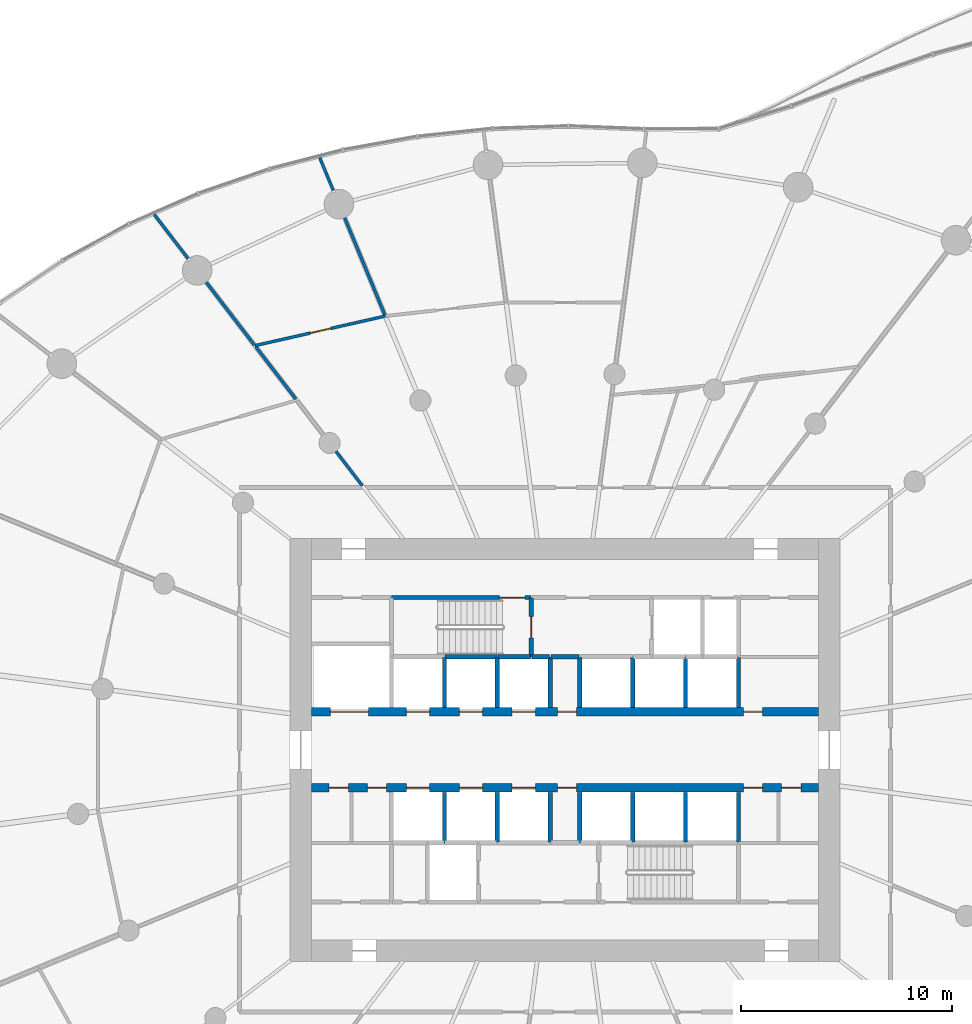
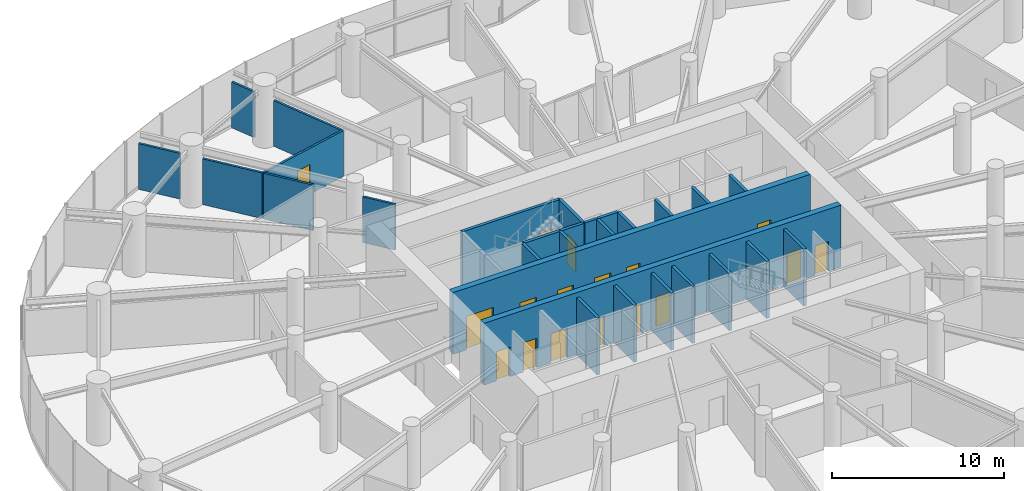
# One storey, part 16 of 24: 29 walls, 17 doors, 17 openings.
"""IFC4 building model written with IfcOpenShell, lengths in metres."""

from ifc_helpers import new_model, si_unit, direction, frame, frame_2d, origin, place, context, subcontext, project, spatial, rectangle, extrude, source, transform, mapped, material, layer, layer_set, type_object, element, fill, save


model = new_model("IFC4")

# Units and contexts
model_context = context("Model", 3, precision=1e-05, world=origin(), true_north=direction((0.0, 1.0)))
body_context = subcontext(model_context, "Body", "Model", "MODEL_VIEW")
ifc_project = project(units=[si_unit("LENGTHUNIT", "METRE"), si_unit("AREAUNIT", "SQUARE_METRE"), si_unit("VOLUMEUNIT", "CUBIC_METRE"), si_unit("PLANEANGLEUNIT", "RADIAN"), si_unit("MASSUNIT", "GRAM", prefix="KILO")], contexts=[model_context])

# Site, building, storey
site_placement = place(None, origin())
site = spatial("IfcSite", under=ifc_project, at=site_placement, CompositionType="ELEMENT")
building_placement = place(site_placement, origin())
building = spatial("IfcBuilding", under=site, at=building_placement, Name="Spindrift Exchange Tower", CompositionType="ELEMENT")
storey_placement = place(building_placement, frame((0.0, 0.0, 5.0)))
storey = spatial("IfcBuildingStorey", under=building, at=storey_placement, Name="L01", CompositionType="ELEMENT", Elevation=5.0)

# Wall, openings, doors
ifc_material_1 = material(Name="Concrete 80 MPa", Category="concrete")
ifc_layer_1 = layer(ifc_material_1, 0.39990234375)
ifc_layer_set_1 = layer_set([ifc_layer_1], Name="RC Spine Wall 400 Concrete 80 MPa")
wall_type_1 = type_object("IfcWallType", Name="RC Spine Wall 400 Concrete 80 MPa", PredefinedType="SHEAR", material=ifc_layer_set_1)
wall_1_placement = place(storey_placement, frame((40.0, 49.800048828125, 0.0), z_axis=(0.0, 0.0, 1.0), x_axis=(1.0, 0.0, 0.0)))
wall_1 = element("IfcWall", 1, at=wall_1_placement, inside=storey, type_object=wall_type_1, Name="Core spine wall N L01", PredefinedType="SHEAR", context=body_context, shape_type="SweptSolid", body=[
    extrude(rectangle(XDim=24.0, YDim=0.39990234375, at=frame_2d((12.0, 0.0))), origin(), (0.0, 0.0, 1.0), 4.39990234375),
])
opening_1_placement = place(wall_1_placement, frame((4.5, 0.0, 0.0)))
opening_1 = element("IfcOpeningElement", 2, at=opening_1_placement, cuts=wall_1, Name="Opening L01-D3", PredefinedType="OPENING", context=body_context, shape_type="SweptSolid", body=[
    extrude(rectangle(XDim=1.10009765625, YDim=2.10009765625, at=frame_2d((0.550048828125, 1.050048828125))), frame((0.0, 0.2099609375, 0.0), z_axis=(0.0, -1.0, 0.0), x_axis=(1.0, 0.0, 0.0)), (0.0, 0.0, 1.0), 0.419921875),
])
opening_2_placement = place(wall_1_placement, frame((7.0, 0.0, 0.0)))
opening_2 = element("IfcOpeningElement", 3, at=opening_2_placement, cuts=wall_1, Name="Opening L01-D4", PredefinedType="OPENING", context=body_context, shape_type="SweptSolid", body=[
    extrude(rectangle(XDim=1.10009765625, YDim=2.10009765625, at=frame_2d((0.550048828125, 1.050048828125))), frame((0.0, 0.2099609375, 0.0), z_axis=(0.0, -1.0, 0.0), x_axis=(1.0, 0.0, 0.0)), (0.0, 0.0, 1.0), 0.419921875),
])
opening_3_placement = place(wall_1_placement, frame((9.5, 0.0, 0.0)))
opening_3 = element("IfcOpeningElement", 4, at=opening_3_placement, cuts=wall_1, Name="Opening L01-D5", PredefinedType="OPENING", context=body_context, shape_type="SweptSolid", body=[
    extrude(rectangle(XDim=1.10009765625, YDim=2.10009765625, at=frame_2d((0.550048828125, 1.050048828125))), frame((0.0, 0.2099609375, 0.0), z_axis=(0.0, -1.0, 0.0), x_axis=(1.0, 0.0, 0.0)), (0.0, 0.0, 1.0), 0.419921875),
])
opening_4_placement = place(wall_1_placement, frame((0.89990234375, 0.0, 0.0)))
opening_4 = element("IfcOpeningElement", 5, at=opening_4_placement, cuts=wall_1, Name="Opening L01-D12", PredefinedType="OPENING", context=body_context, shape_type="SweptSolid", body=[
    extrude(rectangle(XDim=1.800048828125, YDim=2.39990234375, at=frame_2d((0.89990234375, 1.199951171875))), frame((0.0, 0.2099609375, 0.0), z_axis=(0.0, -1.0, 0.0), x_axis=(1.0, 0.0, 0.0)), (0.0, 0.0, 1.0), 0.419921875),
])
opening_5_placement = place(wall_1_placement, frame((20.449951171875, 0.0, 0.0)))
opening_5 = element("IfcOpeningElement", 6, at=opening_5_placement, cuts=wall_1, Name="Opening L01-D56", PredefinedType="OPENING", context=body_context, shape_type="SweptSolid", body=[
    extrude(rectangle(XDim=0.89990234375, YDim=2.10009765625, at=frame_2d((0.449951171875, 1.050048828125))), frame((0.0, 0.2099609375, 0.0), z_axis=(0.0, -1.0, 0.0), x_axis=(1.0, 0.0, 0.0)), (0.0, 0.0, 1.0), 0.419921875),
])
opening_6_placement = place(wall_1_placement, frame((11.64990234375, 0.0, 0.0)))
opening_6 = element("IfcOpeningElement", 7, at=opening_6_placement, cuts=wall_1, Name="Opening L01-D61", PredefinedType="OPENING", context=body_context, shape_type="SweptSolid", body=[
    extrude(rectangle(XDim=0.89990234375, YDim=2.10009765625, at=frame_2d((0.449951171875, 1.050048828125))), frame((0.0, 0.2099609375, 0.0), z_axis=(0.0, -1.0, 0.0), x_axis=(1.0, 0.0, 0.0)), (0.0, 0.0, 1.0), 0.419921875),
])
ifc_material_2 = material(Name="Stainless steel landing door", Category="steel")
door_type_1 = type_object("IfcDoorType", Name="DR-LANDING-1100-SL", OperationType="DOUBLE_DOOR_SLIDING", PredefinedType="USERDEFINED", material=ifc_material_2)
shared_shape_1 = source(origin(), body_context, "Body", "SweptSolid", [
    extrude(rectangle(XDim=1.10009765625, YDim=2.10009765625, at=frame_2d((0.550048828125, 1.050048828125))), frame((0.0, 0.02490234375, 0.0), z_axis=(0.0, -1.0, 0.0), x_axis=(1.0, 0.0, 0.0)), (0.0, 0.0, 1.0), 0.050048828125),
])
door_1_placement = place(opening_1_placement, origin())
door_1 = element("IfcDoor", 8, at=door_1_placement, inside=storey, type_object=door_type_1, Name="L01 Lift landing door 3", ObjectType="LANDING DOOR", OperationType="DOUBLE_DOOR_SLIDING", OverallHeight=2.10009765625, OverallWidth=1.10009765625, PredefinedType="USERDEFINED", context=body_context, shape_type="MappedRepresentation", body=[
    mapped(shared_shape_1, transform((0.0, 0.0, 0.0), scale=1.0)),
])
fill(opening_1, door_1)
door_2_placement = place(opening_2_placement, origin())
door_2 = element("IfcDoor", 9, at=door_2_placement, inside=storey, type_object=door_type_1, Name="L01 Lift landing door 4", ObjectType="LANDING DOOR", OperationType="DOUBLE_DOOR_SLIDING", OverallHeight=2.10009765625, OverallWidth=1.10009765625, PredefinedType="USERDEFINED", context=body_context, shape_type="MappedRepresentation", body=[
    mapped(shared_shape_1, transform((0.0, 0.0, 0.0), scale=1.0)),
])
fill(opening_2, door_2)
door_3_placement = place(opening_3_placement, origin())
door_3 = element("IfcDoor", 10, at=door_3_placement, inside=storey, type_object=door_type_1, Name="L01 Lift landing door 5", ObjectType="LANDING DOOR", OperationType="DOUBLE_DOOR_SLIDING", OverallHeight=2.10009765625, OverallWidth=1.10009765625, PredefinedType="USERDEFINED", context=body_context, shape_type="MappedRepresentation", body=[
    mapped(shared_shape_1, transform((0.0, 0.0, 0.0), scale=1.0)),
])
fill(opening_3, door_3)
door_type_2 = type_object("IfcDoorType", Name="DR-LANDING-1800-SL", OperationType="DOUBLE_DOOR_SLIDING", PredefinedType="USERDEFINED", material=ifc_material_2)
shared_shape_2 = source(origin(), body_context, "Body", "SweptSolid", [
    extrude(rectangle(XDim=1.800048828125, YDim=2.39990234375, at=frame_2d((0.89990234375, 1.199951171875))), frame((0.0, 0.02490234375, 0.0), z_axis=(0.0, -1.0, 0.0), x_axis=(1.0, 0.0, 0.0)), (0.0, 0.0, 1.0), 0.050048828125),
])
door_4_placement = place(opening_4_placement, origin())
door_4 = element("IfcDoor", 11, at=door_4_placement, inside=storey, type_object=door_type_2, Name="L01 Lift landing door 12", ObjectType="LANDING DOOR", OperationType="DOUBLE_DOOR_SLIDING", OverallHeight=2.39990234375, OverallWidth=1.800048828125, PredefinedType="USERDEFINED", context=body_context, shape_type="MappedRepresentation", body=[
    mapped(shared_shape_2, transform((0.0, 0.0, 0.0), scale=1.0)),
])
fill(opening_4, door_4)
ifc_material_3 = material(Name="Steel access door", Category="steel")
door_type_3 = type_object("IfcDoorType", Name="DR-RISER-900", OperationType="NOTDEFINED", PredefinedType="DOOR", material=ifc_material_3)
shared_shape_3 = source(origin(), body_context, "Body", "SweptSolid", [
    extrude(rectangle(XDim=0.89990234375, YDim=2.10009765625, at=frame_2d((0.449951171875, 1.050048828125))), frame((0.0, 0.02490234375, 0.0), z_axis=(0.0, -1.0, 0.0), x_axis=(1.0, 0.0, 0.0)), (0.0, 0.0, 1.0), 0.050048828125),
])
door_5_placement = place(opening_5_placement, origin())
door_5 = element("IfcDoor", 12, at=door_5_placement, inside=storey, type_object=door_type_3, Name="L01 Riser door 56", OperationType="SINGLE_SWING_RIGHT", OverallHeight=2.10009765625, OverallWidth=0.89990234375, PredefinedType="DOOR", context=body_context, shape_type="MappedRepresentation", body=[
    mapped(shared_shape_3, transform((0.0, 0.0, 0.0), scale=1.0)),
])
fill(opening_5, door_5)
door_6_placement = place(opening_6_placement, origin())
door_6 = element("IfcDoor", 13, at=door_6_placement, inside=storey, type_object=door_type_3, Name="L01 Riser door 61", OperationType="SINGLE_SWING_LEFT", OverallHeight=2.10009765625, OverallWidth=0.89990234375, PredefinedType="DOOR", context=body_context, shape_type="MappedRepresentation", body=[
    mapped(shared_shape_3, transform((0.0, 0.0, 0.0), scale=1.0)),
])
fill(opening_6, door_6)

wall_2_placement = place(storey_placement, frame((40.0, 46.199951171875, 0.0), z_axis=(0.0, 0.0, 1.0), x_axis=(1.0, 0.0, 0.0)))
wall_2 = element("IfcWall", 14, at=wall_2_placement, inside=storey, type_object=wall_type_1, Name="Core spine wall S L01", PredefinedType="SHEAR", context=body_context, shape_type="SweptSolid", body=[
    extrude(rectangle(XDim=24.0, YDim=0.39990234375, at=frame_2d((12.0, 0.0))), origin(), (0.0, 0.0, 1.0), 4.39990234375),
])
opening_7_placement = place(wall_2_placement, frame((4.5, 0.0, 0.0)))
opening_7 = element("IfcOpeningElement", 15, at=opening_7_placement, cuts=wall_2, Name="Opening L01-D6", PredefinedType="OPENING", context=body_context, shape_type="SweptSolid", body=[
    extrude(rectangle(XDim=1.10009765625, YDim=2.10009765625, at=frame_2d((0.550048828125, 1.050048828125))), frame((0.0, 0.2099609375, 0.0), z_axis=(0.0, -1.0, 0.0), x_axis=(1.0, 0.0, 0.0)), (0.0, 0.0, 1.0), 0.419921875),
])
opening_8_placement = place(wall_2_placement, frame((7.0, 0.0, 0.0)))
opening_8 = element("IfcOpeningElement", 16, at=opening_8_placement, cuts=wall_2, Name="Opening L01-D7", PredefinedType="OPENING", context=body_context, shape_type="SweptSolid", body=[
    extrude(rectangle(XDim=1.10009765625, YDim=2.10009765625, at=frame_2d((0.550048828125, 1.050048828125))), frame((0.0, 0.2099609375, 0.0), z_axis=(0.0, -1.0, 0.0), x_axis=(1.0, 0.0, 0.0)), (0.0, 0.0, 1.0), 0.419921875),
])
opening_9_placement = place(wall_2_placement, frame((9.5, 0.0, 0.0)))
opening_9 = element("IfcOpeningElement", 17, at=opening_9_placement, cuts=wall_2, Name="Opening L01-D8", PredefinedType="OPENING", context=body_context, shape_type="SweptSolid", body=[
    extrude(rectangle(XDim=1.10009765625, YDim=2.10009765625, at=frame_2d((0.550048828125, 1.050048828125))), frame((0.0, 0.2099609375, 0.0), z_axis=(0.0, -1.0, 0.0), x_axis=(1.0, 0.0, 0.0)), (0.0, 0.0, 1.0), 0.419921875),
])
opening_10_placement = place(wall_2_placement, frame((20.449951171875, 0.0, 0.0)))
opening_10 = element("IfcOpeningElement", 18, at=opening_10_placement, cuts=wall_2, Name="Opening L01-D54", PredefinedType="OPENING", context=body_context, shape_type="SweptSolid", body=[
    extrude(rectangle(XDim=0.89990234375, YDim=2.10009765625, at=frame_2d((0.449951171875, 1.050048828125))), frame((0.0, 0.2099609375, 0.0), z_axis=(0.0, -1.0, 0.0), x_axis=(1.0, 0.0, 0.0)), (0.0, 0.0, 1.0), 0.419921875),
])
opening_11_placement = place(wall_2_placement, frame((22.25, 0.0, 0.0)))
opening_11 = element("IfcOpeningElement", 19, at=opening_11_placement, cuts=wall_2, Name="Opening L01-D55", PredefinedType="OPENING", context=body_context, shape_type="SweptSolid", body=[
    extrude(rectangle(XDim=0.89990234375, YDim=2.10009765625, at=frame_2d((0.449951171875, 1.050048828125))), frame((0.0, 0.2099609375, 0.0), z_axis=(0.0, -1.0, 0.0), x_axis=(1.0, 0.0, 0.0)), (0.0, 0.0, 1.0), 0.419921875),
])
opening_12_placement = place(wall_2_placement, frame((0.85009765625, 0.0, 0.0)))
opening_12 = element("IfcOpeningElement", 20, at=opening_12_placement, cuts=wall_2, Name="Opening L01-D59", PredefinedType="OPENING", context=body_context, shape_type="SweptSolid", body=[
    extrude(rectangle(XDim=0.89990234375, YDim=2.10009765625, at=frame_2d((0.449951171875, 1.050048828125))), frame((0.0, 0.2099609375, 0.0), z_axis=(0.0, -1.0, 0.0), x_axis=(1.0, 0.0, 0.0)), (0.0, 0.0, 1.0), 0.419921875),
])
opening_13_placement = place(wall_2_placement, frame((2.64990234375, 0.0, 0.0)))
opening_13 = element("IfcOpeningElement", 21, at=opening_13_placement, cuts=wall_2, Name="Opening L01-D60", PredefinedType="OPENING", context=body_context, shape_type="SweptSolid", body=[
    extrude(rectangle(XDim=0.89990234375, YDim=2.10009765625, at=frame_2d((0.449951171875, 1.050048828125))), frame((0.0, 0.2099609375, 0.0), z_axis=(0.0, -1.0, 0.0), x_axis=(1.0, 0.0, 0.0)), (0.0, 0.0, 1.0), 0.419921875),
])
opening_14_placement = place(wall_2_placement, frame((11.64990234375, 0.0, 0.0)))
opening_14 = element("IfcOpeningElement", 22, at=opening_14_placement, cuts=wall_2, Name="Opening L01-D62", PredefinedType="OPENING", context=body_context, shape_type="SweptSolid", body=[
    extrude(rectangle(XDim=0.89990234375, YDim=2.10009765625, at=frame_2d((0.449951171875, 1.050048828125))), frame((0.0, 0.2099609375, 0.0), z_axis=(0.0, -1.0, 0.0), x_axis=(1.0, 0.0, 0.0)), (0.0, 0.0, 1.0), 0.419921875),
])
door_7_placement = place(opening_7_placement, origin())
door_7 = element("IfcDoor", 23, at=door_7_placement, inside=storey, type_object=door_type_1, Name="L01 Lift landing door 6", ObjectType="LANDING DOOR", OperationType="DOUBLE_DOOR_SLIDING", OverallHeight=2.10009765625, OverallWidth=1.10009765625, PredefinedType="USERDEFINED", context=body_context, shape_type="MappedRepresentation", body=[
    mapped(shared_shape_1, transform((0.0, 0.0, 0.0), scale=1.0)),
])
fill(opening_7, door_7)
door_8_placement = place(opening_8_placement, origin())
door_8 = element("IfcDoor", 24, at=door_8_placement, inside=storey, type_object=door_type_1, Name="L01 Lift landing door 7", ObjectType="LANDING DOOR", OperationType="DOUBLE_DOOR_SLIDING", OverallHeight=2.10009765625, OverallWidth=1.10009765625, PredefinedType="USERDEFINED", context=body_context, shape_type="MappedRepresentation", body=[
    mapped(shared_shape_1, transform((0.0, 0.0, 0.0), scale=1.0)),
])
fill(opening_8, door_8)
door_9_placement = place(opening_9_placement, origin())
door_9 = element("IfcDoor", 25, at=door_9_placement, inside=storey, type_object=door_type_1, Name="L01 Lift landing door 8", ObjectType="LANDING DOOR", OperationType="DOUBLE_DOOR_SLIDING", OverallHeight=2.10009765625, OverallWidth=1.10009765625, PredefinedType="USERDEFINED", context=body_context, shape_type="MappedRepresentation", body=[
    mapped(shared_shape_1, transform((0.0, 0.0, 0.0), scale=1.0)),
])
fill(opening_9, door_9)
door_10_placement = place(opening_10_placement, origin())
door_10 = element("IfcDoor", 26, at=door_10_placement, inside=storey, type_object=door_type_3, Name="L01 Riser door 54", OperationType="SINGLE_SWING_RIGHT", OverallHeight=2.10009765625, OverallWidth=0.89990234375, PredefinedType="DOOR", context=body_context, shape_type="MappedRepresentation", body=[
    mapped(shared_shape_3, transform((0.0, 0.0, 0.0), scale=1.0)),
])
fill(opening_10, door_10)
door_11_placement = place(opening_11_placement, origin())
door_11 = element("IfcDoor", 27, at=door_11_placement, inside=storey, type_object=door_type_3, Name="L01 Riser door 55", OperationType="SINGLE_SWING_LEFT", OverallHeight=2.10009765625, OverallWidth=0.89990234375, PredefinedType="DOOR", context=body_context, shape_type="MappedRepresentation", body=[
    mapped(shared_shape_3, transform((0.0, 0.0, 0.0), scale=1.0)),
])
fill(opening_11, door_11)
door_12_placement = place(opening_12_placement, origin())
door_12 = element("IfcDoor", 28, at=door_12_placement, inside=storey, type_object=door_type_3, Name="L01 Riser door 59", OperationType="SINGLE_SWING_LEFT", OverallHeight=2.10009765625, OverallWidth=0.89990234375, PredefinedType="DOOR", context=body_context, shape_type="MappedRepresentation", body=[
    mapped(shared_shape_3, transform((0.0, 0.0, 0.0), scale=1.0)),
])
fill(opening_12, door_12)
door_13_placement = place(opening_13_placement, origin())
door_13 = element("IfcDoor", 29, at=door_13_placement, inside=storey, type_object=door_type_3, Name="L01 Riser door 60", OperationType="SINGLE_SWING_RIGHT", OverallHeight=2.10009765625, OverallWidth=0.89990234375, PredefinedType="DOOR", context=body_context, shape_type="MappedRepresentation", body=[
    mapped(shared_shape_3, transform((0.0, 0.0, 0.0), scale=1.0)),
])
fill(opening_13, door_13)
door_14_placement = place(opening_14_placement, origin())
door_14 = element("IfcDoor", 30, at=door_14_placement, inside=storey, type_object=door_type_3, Name="L01 Riser door 62", OperationType="SINGLE_SWING_RIGHT", OverallHeight=2.10009765625, OverallWidth=0.89990234375, PredefinedType="DOOR", context=body_context, shape_type="MappedRepresentation", body=[
    mapped(shared_shape_3, transform((0.0, 0.0, 0.0), scale=1.0)),
])
fill(opening_14, door_14)

# Wall, opening, door
ifc_material_4 = material(Name="Fire-rated plasterboard partition", Category="gypsum")
ifc_layer_2 = layer(ifc_material_4, 0.139892578125)
ifc_layer_set_2 = layer_set([ifc_layer_2], Name="W-PART-140")
wall_type_2 = type_object("IfcWallType", Name="W-PART-140", PredefinedType="PARTITIONING", material=ifc_layer_set_2)
wall_3_placement = place(storey_placement, frame((37.332275390625, 67.115478515625, 0.0), z_axis=(0.0, 0.0, 1.0), x_axis=(0.975258543616, 0.221067349702, 0.0)))
wall_3 = element("IfcWall", 31, at=wall_3_placement, inside=storey, type_object=wall_type_2, Name="L01 Partition wall 90", PredefinedType="PARTITIONING", context=body_context, shape_type="SweptSolid", body=[
    extrude(rectangle(XDim=6.326904296875, YDim=0.139892578125, at=frame_2d((3.16357421875, 0.0))), origin(), (0.0, 0.0, 1.0), 3.25),
])
opening_15_placement = place(wall_3_placement, frame((2.677001953125, 0.0, 0.0)))
opening_15 = element("IfcOpeningElement", 32, at=opening_15_placement, cuts=wall_3, Name="Opening L01-D34", PredefinedType="OPENING", context=body_context, shape_type="SweptSolid", body=[
    extrude(rectangle(XDim=1.0, YDim=2.10009765625, at=frame_2d((0.5, 1.050048828125))), frame((0.0, 0.079833984375, 0.0), z_axis=(0.0, -1.0, 0.0), x_axis=(1.0, 0.0, 0.0)), (0.0, 0.0, 1.0), 0.159912109375),
])
ifc_material_5 = material(Name="Timber-core fire door", Category="wood")
door_type_4 = type_object("IfcDoorType", Name="DR-ROOM-1000", OperationType="NOTDEFINED", PredefinedType="DOOR", material=ifc_material_5)
shared_shape_4 = source(origin(), body_context, "Body", "SweptSolid", [
    extrude(rectangle(XDim=1.0, YDim=2.10009765625, at=frame_2d((0.5, 1.050048828125))), frame((0.0, 0.02490234375, 0.0), z_axis=(0.0, -1.0, 0.0), x_axis=(1.0, 0.0, 0.0)), (0.0, 0.0, 1.0), 0.050048828125),
])
door_15_placement = place(opening_15_placement, origin())
door_15 = element("IfcDoor", 33, at=door_15_placement, inside=storey, type_object=door_type_4, Name="L01 Door 34", OperationType="SINGLE_SWING_RIGHT", OverallHeight=2.10009765625, OverallWidth=1.0, PredefinedType="DOOR", context=body_context, shape_type="MappedRepresentation", body=[
    mapped(shared_shape_4, transform((0.0, 0.0, 0.0), scale=1.0)),
])
fill(opening_15, door_15)

# Walls
wall_4_placement = place(storey_placement, frame((37.31396484375, 67.13916015625, 0.0), z_axis=(0.0, 0.0, 1.0), x_axis=(-0.608769216059, 0.793347365017, 0.0)))
element("IfcWall", 34, at=wall_4_placement, inside=storey, type_object=wall_type_2, Name="L01 Partition wall 122", PredefinedType="PARTITIONING", context=body_context, shape_type="SweptSolid", body=[
    extrude(rectangle(XDim=3.74853515625, YDim=0.139892578125, at=frame_2d((1.874267578125, 0.0))), origin(), (0.0, 0.0, 1.0), 3.25),
])
wall_5_placement = place(storey_placement, frame((39.268310546875, 64.59228515625, 0.0), z_axis=(0.0, 0.0, 1.0), x_axis=(-0.608775029145, 0.793342904355, 0.0)))
element("IfcWall", 35, at=wall_5_placement, inside=storey, type_object=wall_type_2, Name="L01 Partition wall 130", PredefinedType="PARTITIONING", context=body_context, shape_type="SweptSolid", body=[
    extrude(rectangle(XDim=3.103271484375, YDim=0.139892578125, at=frame_2d((1.5517578125, 0.0))), origin(), (0.0, 0.0, 1.0), 3.25),
])
wall_6_placement = place(storey_placement, frame((34.1748046875, 71.23046875, 0.0), z_axis=(0.0, 0.0, 1.0), x_axis=(-0.608811983243, 0.793314546104, 0.0)))
element("IfcWall", 36, at=wall_6_placement, inside=storey, type_object=wall_type_2, Name="L01 Partition wall 137", PredefinedType="PARTITIONING", context=body_context, shape_type="SweptSolid", body=[
    extrude(rectangle(XDim=2.626708984375, YDim=0.139892578125, at=frame_2d((1.3134765625, 0.0))), origin(), (0.0, 0.0, 1.0), 3.25),
])
wall_7_placement = place(storey_placement, frame((42.416015625, 60.489990234375, 0.0), z_axis=(0.0, 0.0, 1.0), x_axis=(-0.608727763541, 0.793379171578, 0.0)))
element("IfcWall", 37, at=wall_7_placement, inside=storey, type_object=wall_type_2, Name="L01 Partition wall 141", PredefinedType="PARTITIONING", context=body_context, shape_type="SweptSolid", body=[
    extrude(rectangle(XDim=2.04150390625, YDim=0.139892578125, at=frame_2d((1.020751953125, 0.0))), origin(), (0.0, 0.0, 1.0), 3.25),
])
ifc_layer_3 = layer(ifc_material_4, 0.139892578125)
ifc_layer_set_3 = layer_set([ifc_layer_3], Name="W-PLANT-140")
wall_type_3 = type_object("IfcWallType", Name="W-PLANT-140", PredefinedType="PARTITIONING", material=ifc_layer_set_3)
wall_8_placement = place(storey_placement, frame((43.4755859375, 68.579833984375, 0.0), z_axis=(0.0, 0.0, 1.0), x_axis=(-0.382679643563, 0.923881101875, 0.0)))
element("IfcWall", 38, at=wall_8_placement, inside=storey, type_object=wall_type_3, Name="L01 Partition wall 106", PredefinedType="PARTITIONING", context=body_context, shape_type="SweptSolid", body=[
    extrude(rectangle(XDim=4.95458984375, YDim=0.139892578125, at=frame_2d((2.477294921875, 0.0))), origin(), (0.0, 0.0, 1.0), 3.25),
])
wall_9_placement = place(storey_placement, frame((41.039794921875, 74.4599609375, 0.0), z_axis=(0.0, 0.0, 1.0), x_axis=(-0.382571117301, 0.923926046936, 0.0)))
element("IfcWall", 39, at=wall_9_placement, inside=storey, type_object=wall_type_3, Name="L01 Partition wall 147", PredefinedType="PARTITIONING", context=body_context, shape_type="SweptSolid", body=[
    extrude(rectangle(XDim=1.67138671875, YDim=0.139892578125, at=frame_2d((0.835693359375, 0.0))), origin(), (0.0, 0.0, 1.0), 3.25),
])
ifc_material_6 = material(Name="Concrete 40 MPa", Category="concrete")
ifc_layer_4 = layer(ifc_material_6, 0.199951171875)
ifc_layer_set_4 = layer_set([ifc_layer_4], Name="W-SHAFT-200")
wall_type_4 = type_object("IfcWallType", Name="W-SHAFT-200", PredefinedType="SOLIDWALL", material=ifc_layer_set_4)
wall_10_placement = place(storey_placement, frame((46.300048828125, 43.60009765625, 0.0), z_axis=(0.0, 0.0, 1.0), x_axis=(0.0, 1.0, 0.0)))
element("IfcWall", 40, at=wall_10_placement, inside=storey, type_object=wall_type_4, Name="L01 Shaft wall 29", PredefinedType="SOLIDWALL", context=body_context, shape_type="SweptSolid", body=[
    extrude(rectangle(XDim=2.389892578125, YDim=0.199951171875, at=frame_2d((1.19482421875, 0.0))), origin(), (0.0, 0.0, 1.0), 4.050048828125),
])
for number, where, z_axis, x_axis, name in (
    (41, (48.800048828125, 43.6298828125, 0.0), (0.0, 0.0, 1.0), (0.0, 1.0, 0.0), "L01 Shaft wall 31"),
    (42, (51.300048828125, 43.6298828125, 0.0), (0.0, 0.0, 1.0), (0.0, 1.0, 0.0), "L01 Shaft wall 33"),
):
    element("IfcWall", number, at=place(storey_placement, frame(where, z_axis=z_axis, x_axis=x_axis)), inside=storey, type_object=wall_type_4, Name=name, PredefinedType="SOLIDWALL", context=body_context, shape_type="SweptSolid", body=[
        extrude(rectangle(XDim=2.360107421875, YDim=0.199951171875, at=frame_2d((1.18017578125, 0.0))), origin(), (0.0, 0.0, 1.0), 4.050048828125),
    ])
for number, where, z_axis, x_axis, name in (
    (43, (51.300048828125, 50.010009765625, 0.0), (0.0, 0.0, 1.0), (0.0, 1.0, 0.0), "L01 Shaft wall 34"),
    (44, (52.699951171875, 45.989990234375, 0.0), (0.0, 0.0, 1.0), (0.0, -1.0, 0.0), "L01 Shaft wall 35"),
):
    element("IfcWall", number, at=place(storey_placement, frame(where, z_axis=z_axis, x_axis=x_axis)), inside=storey, type_object=wall_type_4, Name=name, PredefinedType="SOLIDWALL", context=body_context, shape_type="SweptSolid", body=[
        extrude(rectangle(XDim=2.389892578125, YDim=0.199951171875, at=frame_2d((1.19482421875, 0.0))), origin(), (0.0, 0.0, 1.0), 4.050048828125),
    ])
for number, where, z_axis, x_axis, name in (
    (45, (52.699951171875, 52.3701171875, 0.0), (0.0, 0.0, 1.0), (0.0, -1.0, 0.0), "L01 Shaft wall 36"),
    (46, (55.199951171875, 50.010009765625, 0.0), (0.0, 0.0, 1.0), (0.0, 1.0, 0.0), "L01 Shaft wall 38"),
):
    element("IfcWall", number, at=place(storey_placement, frame(where, z_axis=z_axis, x_axis=x_axis)), inside=storey, type_object=wall_type_4, Name=name, PredefinedType="SOLIDWALL", context=body_context, shape_type="SweptSolid", body=[
        extrude(rectangle(XDim=2.360107421875, YDim=0.199951171875, at=frame_2d((1.18017578125, 0.0))), origin(), (0.0, 0.0, 1.0), 4.050048828125),
    ])
wall_11_placement = place(storey_placement, frame((57.699951171875, 50.010009765625, 0.0), z_axis=(0.0, 0.0, 1.0), x_axis=(0.0, 1.0, 0.0)))
element("IfcWall", 47, at=wall_11_placement, inside=storey, type_object=wall_type_4, Name="L01 Shaft wall 40", PredefinedType="SOLIDWALL", context=body_context, shape_type="SweptSolid", body=[
    extrude(rectangle(XDim=2.389892578125, YDim=0.199951171875, at=frame_2d((1.19482421875, 0.0))), origin(), (0.0, 0.0, 1.0), 4.050048828125),
])
wall_12_placement = place(storey_placement, frame((60.199951171875, 50.010009765625, 0.0), z_axis=(0.0, 0.0, 1.0), x_axis=(0.0, 1.0, 0.0)))
element("IfcWall", 48, at=wall_12_placement, inside=storey, type_object=wall_type_4, Name="L01 Shaft wall 42", PredefinedType="SOLIDWALL", context=body_context, shape_type="SweptSolid", body=[
    extrude(rectangle(XDim=2.360107421875, YDim=0.199951171875, at=frame_2d((1.18017578125, 0.0))), origin(), (0.0, 0.0, 1.0), 4.050048828125),
])
wall_13_placement = place(storey_placement, frame((51.330078125, 52.39990234375, 0.0), z_axis=(0.0, 0.0, 1.0), x_axis=(1.0, 0.0, 0.0)))
element("IfcWall", 49, at=wall_13_placement, inside=storey, type_object=wall_type_4, Name="L01 Shaft wall 53", PredefinedType="SOLIDWALL", context=body_context, shape_type="SweptSolid", body=[
    extrude(rectangle(XDim=1.33984375, YDim=0.199951171875, at=frame_2d((0.669921875, 0.0))), origin(), (0.0, 0.0, 1.0), 4.050048828125),
])

# Wall, opening, door
ifc_layer_5 = layer(ifc_material_6, 0.199951171875)
ifc_layer_set_5 = layer_set([ifc_layer_5], Name="W-SHAFT-200-LB")
wall_type_5 = type_object("IfcWallType", Name="W-SHAFT-200-LB", PredefinedType="SOLIDWALL", material=ifc_layer_set_5)
wall_14_placement = place(storey_placement, frame((50.39990234375, 55.199951171875, 0.0), z_axis=(0.0, 0.0, 1.0), x_axis=(-1.0, 0.0, 0.0)))
wall_14 = element("IfcWall", 50, at=wall_14_placement, inside=storey, type_object=wall_type_5, Name="L01 Shaft wall 1", PredefinedType="SOLIDWALL", context=body_context, shape_type="SweptSolid", body=[
    extrude(rectangle(XDim=6.599853515625, YDim=0.199951171875, at=frame_2d((3.2998046875, 0.0))), origin(), (0.0, 0.0, 1.0), 4.050048828125),
])
opening_16_placement = place(wall_14_placement, frame((0.300048828125, 0.0, 0.0)))
opening_16 = element("IfcOpeningElement", 51, at=opening_16_placement, cuts=wall_14, Name="Opening L01-D13", PredefinedType="OPENING", context=body_context, shape_type="SweptSolid", body=[
    extrude(rectangle(XDim=1.199951171875, YDim=2.10009765625, at=frame_2d((0.60009765625, 1.050048828125))), frame((0.0, 0.10986328125, 0.0), z_axis=(0.0, -1.0, 0.0), x_axis=(1.0, 0.0, 0.0)), (0.0, 0.0, 1.0), 0.219970703125),
])
ifc_material_7 = material(Name="Steel fire door", Category="steel")
door_type_5 = type_object("IfcDoorType", Name="DR-STAIR-1200", OperationType="NOTDEFINED", PredefinedType="DOOR", material=ifc_material_7)
shared_shape_5 = source(origin(), body_context, "Body", "SweptSolid", [
    extrude(rectangle(XDim=1.199951171875, YDim=2.10009765625, at=frame_2d((0.60009765625, 1.050048828125))), frame((0.0, 0.02490234375, 0.0), z_axis=(0.0, -1.0, 0.0), x_axis=(1.0, 0.0, 0.0)), (0.0, 0.0, 1.0), 0.050048828125),
])
door_16_placement = place(opening_16_placement, origin())
door_16 = element("IfcDoor", 52, at=door_16_placement, inside=storey, type_object=door_type_5, Name="L01 Stair door 13", OperationType="SINGLE_SWING_LEFT", OverallHeight=2.10009765625, OverallWidth=1.199951171875, PredefinedType="DOOR", context=body_context, shape_type="MappedRepresentation", body=[
    mapped(shared_shape_5, transform((0.0, 0.0, 0.0), scale=1.0)),
])
fill(opening_16, door_16)

wall_15_placement = place(storey_placement, frame((50.39990234375, 52.39990234375, 0.0), z_axis=(0.0, 0.0, 1.0), x_axis=(0.0, 1.0, 0.0)))
wall_15 = element("IfcWall", 53, at=wall_15_placement, inside=storey, type_object=wall_type_5, Name="L01 Shaft wall 11", PredefinedType="SOLIDWALL", context=body_context, shape_type="SweptSolid", body=[
    extrude(rectangle(XDim=2.77001953125, YDim=0.199951171875, at=frame_2d((1.385009765625, 0.0))), origin(), (0.0, 0.0, 1.0), 4.050048828125),
])
opening_17_placement = place(wall_15_placement, frame((0.89990234375, 0.0, 0.0)))
opening_17 = element("IfcOpeningElement", 54, at=opening_17_placement, cuts=wall_15, Name="Opening L01-D14", PredefinedType="OPENING", context=body_context, shape_type="SweptSolid", body=[
    extrude(rectangle(XDim=1.0, YDim=2.10009765625, at=frame_2d((0.5, 1.050048828125))), frame((0.0, 0.10986328125, 0.0), z_axis=(0.0, -1.0, 0.0), x_axis=(1.0, 0.0, 0.0)), (0.0, 0.0, 1.0), 0.219970703125),
])
door_type_6 = type_object("IfcDoorType", Name="DR-STAIR-1000", OperationType="NOTDEFINED", PredefinedType="DOOR", material=ifc_material_7)
shared_shape_6 = source(origin(), body_context, "Body", "SweptSolid", [
    extrude(rectangle(XDim=1.0, YDim=2.10009765625, at=frame_2d((0.5, 1.050048828125))), frame((0.0, 0.02490234375, 0.0), z_axis=(0.0, -1.0, 0.0), x_axis=(1.0, 0.0, 0.0)), (0.0, 0.0, 1.0), 0.050048828125),
])
door_17_placement = place(opening_17_placement, origin())
door_17 = element("IfcDoor", 55, at=door_17_placement, inside=storey, type_object=door_type_6, Name="L01 Stair door 14", OperationType="SINGLE_SWING_RIGHT", OverallHeight=2.10009765625, OverallWidth=1.0, PredefinedType="DOOR", context=body_context, shape_type="MappedRepresentation", body=[
    mapped(shared_shape_6, transform((0.0, 0.0, 0.0), scale=1.0)),
])
fill(opening_17, door_17)

# Walls
wall_16_placement = place(storey_placement, frame((48.800048828125, 52.39990234375, 0.0), z_axis=(0.0, 0.0, 1.0), x_axis=(-1.0, 0.0, 0.0)))
element("IfcWall", 56, at=wall_16_placement, inside=storey, type_object=wall_type_5, Name="L01 Shaft wall 20", PredefinedType="SOLIDWALL", context=body_context, shape_type="SweptSolid", body=[
    extrude(rectangle(XDim=2.469970703125, YDim=0.199951171875, at=frame_2d((1.23486328125, 0.0))), origin(), (0.0, 0.0, 1.0), 4.050048828125),
])
for number, where, z_axis, x_axis, name in (
    (57, (46.300048828125, 50.010009765625, 0.0), (0.0, 0.0, 1.0), (0.0, 1.0, 0.0), "L01 Shaft wall 30"),
    (58, (48.800048828125, 50.010009765625, 0.0), (0.0, 0.0, 1.0), (0.0, 1.0, 0.0), "L01 Shaft wall 32"),
    (59, (55.199951171875, 43.6298828125, 0.0), (0.0, 0.0, 1.0), (0.0, 1.0, 0.0), "L01 Shaft wall 37"),
    (60, (57.699951171875, 43.6298828125, 0.0), (0.0, 0.0, 1.0), (0.0, 1.0, 0.0), "L01 Shaft wall 39"),
    (61, (60.199951171875, 43.6298828125, 0.0), (0.0, 0.0, 1.0), (0.0, 1.0, 0.0), "L01 Shaft wall 41"),
):
    element("IfcWall", number, at=place(storey_placement, frame(where, z_axis=z_axis, x_axis=x_axis)), inside=storey, type_object=wall_type_5, Name=name, PredefinedType="SOLIDWALL", context=body_context, shape_type="SweptSolid", body=[
        extrude(rectangle(XDim=2.360107421875, YDim=0.199951171875, at=frame_2d((1.18017578125, 0.0))), origin(), (0.0, 0.0, 1.0), 4.050048828125),
    ])
wall_17_placement = place(storey_placement, frame((50.3701171875, 52.39990234375, 0.0), z_axis=(0.0, 0.0, 1.0), x_axis=(-1.0, 0.0, 0.0)))
element("IfcWall", 62, at=wall_17_placement, inside=storey, type_object=wall_type_5, Name="L01 Shaft wall 49", PredefinedType="SOLIDWALL", context=body_context, shape_type="SweptSolid", body=[
    extrude(rectangle(XDim=1.5400390625, YDim=0.199951171875, at=frame_2d((0.77001953125, 0.0))), origin(), (0.0, 0.0, 1.0), 4.050048828125),
])
wall_18_placement = place(storey_placement, frame((51.27001953125, 52.39990234375, 0.0), z_axis=(0.0, 0.0, 1.0), x_axis=(-1.0, 0.0, 0.0)))
element("IfcWall", 63, at=wall_18_placement, inside=storey, type_object=wall_type_5, Name="L01 Shaft wall 55", PredefinedType="SOLIDWALL", context=body_context, shape_type="SweptSolid", body=[
    extrude(rectangle(XDim=0.840087890625, YDim=0.199951171875, at=frame_2d((0.419921875, 0.0))), origin(), (0.0, 0.0, 1.0), 4.050048828125),
])

save(model, "model.ifc")
